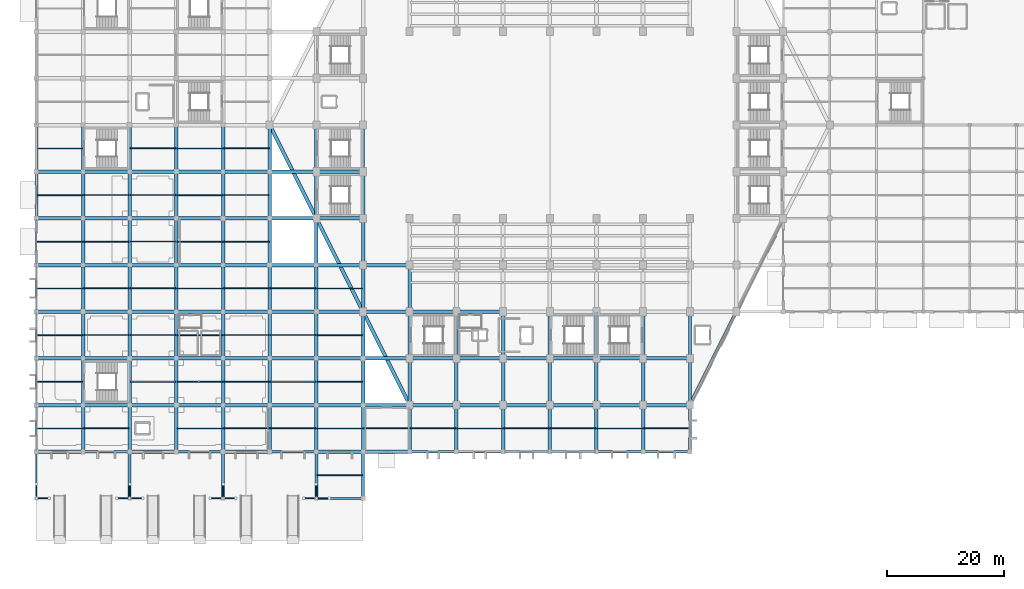
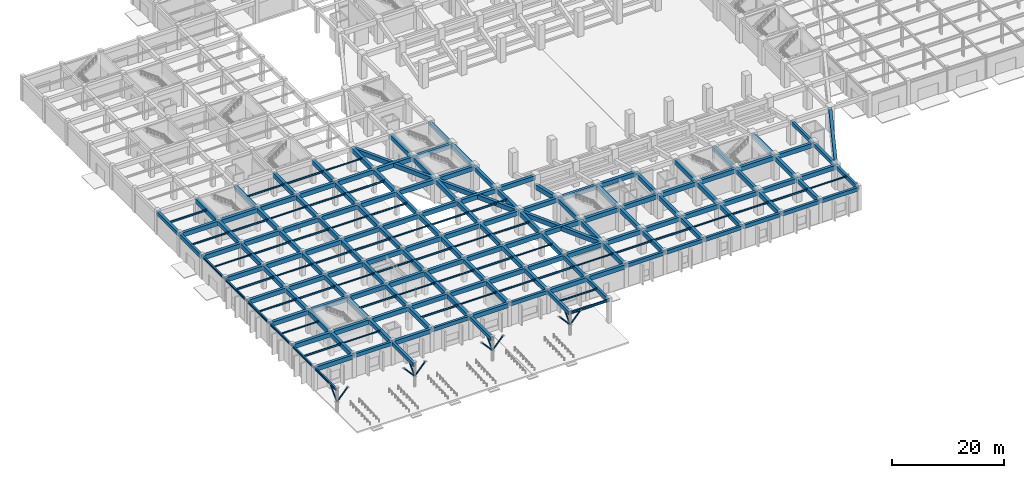
# One storey, part 11 of 39: 210 beams, 11 members.
"""IFC4 building model written with IfcOpenShell, lengths in metres."""

from ifc_helpers import new_model, si_unit, direction, frame, origin, origin_2d, place, context, subcontext, project, spatial, rectangle, hollow_circle, i_section, extrude, material, material_profile, profile_set, type_object, element, save


model = new_model("IFC4")

# Units and contexts
model_context = context("Model", 3, precision=1e-05, world=origin(), true_north=direction((0.0, 1.0)))
body_context = subcontext(model_context, "Body", "Model", "MODEL_VIEW")
ifc_project = project(units=[si_unit("LENGTHUNIT", "METRE"), si_unit("AREAUNIT", "SQUARE_METRE"), si_unit("VOLUMEUNIT", "CUBIC_METRE"), si_unit("PLANEANGLEUNIT", "RADIAN"), si_unit("MASSUNIT", "GRAM", prefix="KILO")], contexts=[model_context])

# Site, building, storey
site_placement = place(None, origin())
site = spatial("IfcSite", under=ifc_project, at=site_placement, CompositionType="ELEMENT")
building_placement = place(site_placement, origin())
building = spatial("IfcBuilding", under=site, at=building_placement, Name="Tazarka Park Arena", CompositionType="ELEMENT")
storey_placement = place(building_placement, origin())
storey = spatial("IfcBuildingStorey", under=building, at=storey_placement, Name="L00", CompositionType="ELEMENT", Elevation=0.0)

# Beams
ifc_material_1 = material(Name="Concrete C40/50", Category="concrete")
ifc_material_profile_1 = material_profile(ifc_material_1, rectangle(XDim=0.60009765625, YDim=0.949951171875, at=origin_2d()), Name="Concrete C40/50")
ifc_profile_set_1 = profile_set([ifc_material_profile_1], Name="Concrete C40/50")
beam_type_1 = type_object("IfcBeamType", Name="BM-B-03", PredefinedType="BEAM", material=ifc_profile_set_1)
for number, where, z_axis, x_axis, name in (
    (1, (0.1201171875, 8.0, 4.544921875), (1.0, 0.0, 0.0), (0.0, 1.0, 0.0), "GXM-L00-00-01"),
    (2, (0.1201171875, 16.0, 4.544921875), (1.0, 0.0, 0.0), (0.0, 1.0, 0.0), "GXM-L00-00-02"),
    (3, (0.1201171875, 24.0, 4.544921875), (1.0, 0.0, 0.0), (0.0, 1.0, 0.0), "GXM-L00-00-03"),
    (4, (0.1201171875, 32.0, 4.544921875), (1.0, 0.0, 0.0), (0.0, 1.0, 0.0), "GXM-L00-00-04"),
    (5, (0.1201171875, 40.0, 4.544921875), (1.0, 0.0, 0.0), (0.0, 1.0, 0.0), "GXM-L00-00-05"),
    (6, (0.1201171875, 48.0, 4.544921875), (1.0, 0.0, 0.0), (0.0, 1.0, 0.0), "GXM-L00-00-06"),
    (7, (0.1201171875, 56.0, 4.544921875), (1.0, 0.0, 0.0), (0.0, 1.0, 0.0), "GXM-L00-00-07"),
    (8, (8.0, 8.1201171875, 4.544921875), (0.0, 1.0, 0.0), (-1.0, 0.0, 0.0), "GYM-L00-01-01"),
    (9, (8.1201171875, 16.0, 4.544921875), (1.0, 0.0, 0.0), (0.0, 1.0, 0.0), "GXM-L00-01-02"),
    (10, (8.0, 16.1201171875, 4.544921875), (0.0, 1.0, 0.0), (-1.0, 0.0, 0.0), "GYM-L00-01-02"),
    (11, (8.1201171875, 24.0, 4.544921875), (1.0, 0.0, 0.0), (0.0, 1.0, 0.0), "GXM-L00-01-03"),
    (12, (8.0, 24.1201171875, 4.544921875), (0.0, 1.0, 0.0), (-1.0, 0.0, 0.0), "GYM-L00-01-03"),
    (13, (8.1201171875, 32.0, 4.544921875), (1.0, 0.0, 0.0), (0.0, 1.0, 0.0), "GXM-L00-01-04"),
    (14, (8.0, 32.1201171875, 4.544921875), (0.0, 1.0, 0.0), (-1.0, 0.0, 0.0), "GYM-L00-01-04"),
    (15, (8.1201171875, 40.0, 4.544921875), (1.0, 0.0, 0.0), (0.0, 1.0, 0.0), "GXM-L00-01-05"),
    (16, (8.0, 40.1201171875, 4.544921875), (0.0, 1.0, 0.0), (-1.0, 0.0, 0.0), "GYM-L00-01-05"),
    (17, (8.1201171875, 48.0, 4.544921875), (1.0, 0.0, 0.0), (0.0, 1.0, 0.0), "GXM-L00-01-06"),
    (18, (8.0, 48.1201171875, 4.544921875), (0.0, 1.0, 0.0), (-1.0, 0.0, 0.0), "GYM-L00-01-06"),
    (19, (8.1201171875, 56.0, 4.544921875), (1.0, 0.0, 0.0), (0.0, 1.0, 0.0), "GXM-L00-01-07"),
    (20, (8.0, 56.1201171875, 4.544921875), (0.0, 1.0, 0.0), (-1.0, 0.0, 0.0), "GYM-L00-01-07"),
    (21, (16.1201171875, 8.0, 4.544921875), (1.0, 0.0, 0.0), (0.0, 1.0, 0.0), "GXM-L00-02-01"),
    (22, (16.0, 8.1201171875, 4.544921875), (0.0, 1.0, 0.0), (-1.0, 0.0, 0.0), "GYM-L00-02-01"),
    (23, (16.1201171875, 16.0, 4.544921875), (1.0, 0.0, 0.0), (0.0, 1.0, 0.0), "GXM-L00-02-02"),
    (24, (16.0, 16.1201171875, 4.544921875), (0.0, 1.0, 0.0), (-1.0, 0.0, 0.0), "GYM-L00-02-02"),
    (25, (16.1201171875, 24.0, 4.544921875), (1.0, 0.0, 0.0), (0.0, 1.0, 0.0), "GXM-L00-02-03"),
    (26, (16.0, 24.1201171875, 4.544921875), (0.0, 1.0, 0.0), (-1.0, 0.0, 0.0), "GYM-L00-02-03"),
    (27, (16.1201171875, 32.0, 4.544921875), (1.0, 0.0, 0.0), (0.0, 1.0, 0.0), "GXM-L00-02-04"),
    (28, (16.0, 32.1201171875, 4.544921875), (0.0, 1.0, 0.0), (-1.0, 0.0, 0.0), "GYM-L00-02-04"),
    (29, (16.1201171875, 40.0, 4.544921875), (1.0, 0.0, 0.0), (0.0, 1.0, 0.0), "GXM-L00-02-05"),
    (30, (16.0, 40.1201171875, 4.544921875), (0.0, 1.0, 0.0), (-1.0, 0.0, 0.0), "GYM-L00-02-05"),
    (31, (16.1201171875, 48.0, 4.544921875), (1.0, 0.0, 0.0), (0.0, 1.0, 0.0), "GXM-L00-02-06"),
    (32, (16.0, 48.1201171875, 4.544921875), (0.0, 1.0, 0.0), (-1.0, 0.0, 0.0), "GYM-L00-02-06"),
    (33, (16.1201171875, 56.0, 4.544921875), (1.0, 0.0, 0.0), (0.0, 1.0, 0.0), "GXM-L00-02-07"),
    (34, (16.0, 56.1201171875, 4.544921875), (0.0, 1.0, 0.0), (-1.0, 0.0, 0.0), "GYM-L00-02-07"),
    (35, (24.0, 8.1201171875, 4.544921875), (0.0, 1.0, 0.0), (-1.0, 0.0, 0.0), "GYM-L00-03-01"),
    (36, (24.1201171875, 16.0, 4.544921875), (1.0, 0.0, 0.0), (0.0, 1.0, 0.0), "GXM-L00-03-02"),
    (37, (24.0, 16.1201171875, 4.544921875), (0.0, 1.0, 0.0), (-1.0, 0.0, 0.0), "GYM-L00-03-02"),
    (38, (24.1201171875, 24.0, 4.544921875), (1.0, 0.0, 0.0), (0.0, 1.0, 0.0), "GXM-L00-03-03"),
    (39, (24.0, 24.1201171875, 4.544921875), (0.0, 1.0, 0.0), (-1.0, 0.0, 0.0), "GYM-L00-03-03"),
    (40, (24.1201171875, 32.0, 4.544921875), (1.0, 0.0, 0.0), (0.0, 1.0, 0.0), "GXM-L00-03-04"),
    (41, (24.0, 32.1201171875, 4.544921875), (0.0, 1.0, 0.0), (-1.0, 0.0, 0.0), "GYM-L00-03-04"),
    (42, (24.1201171875, 40.0, 4.544921875), (1.0, 0.0, 0.0), (0.0, 1.0, 0.0), "GXM-L00-03-05"),
    (43, (24.0, 40.1201171875, 4.544921875), (0.0, 1.0, 0.0), (-1.0, 0.0, 0.0), "GYM-L00-03-05"),
    (44, (24.1201171875, 48.0, 4.544921875), (1.0, 0.0, 0.0), (0.0, 1.0, 0.0), "GXM-L00-03-06"),
    (45, (24.0, 48.1201171875, 4.544921875), (0.0, 1.0, 0.0), (-1.0, 0.0, 0.0), "GYM-L00-03-06"),
    (46, (24.1201171875, 56.0, 4.544921875), (1.0, 0.0, 0.0), (0.0, 1.0, 0.0), "GXM-L00-03-07"),
    (47, (24.0, 56.1201171875, 4.544921875), (0.0, 1.0, 0.0), (-1.0, 0.0, 0.0), "GYM-L00-03-07"),
    (48, (32.1201171875, 8.0, 4.544921875), (1.0, 0.0, 0.0), (0.0, 1.0, 0.0), "GXM-L00-04-01"),
    (49, (32.0, 8.1201171875, 4.544921875), (0.0, 1.0, 0.0), (-1.0, 0.0, 0.0), "GYM-L00-04-01"),
    (50, (32.1201171875, 16.0, 4.544921875), (1.0, 0.0, 0.0), (0.0, 1.0, 0.0), "GXM-L00-04-02"),
    (51, (32.0, 16.1201171875, 4.544921875), (0.0, 1.0, 0.0), (-1.0, 0.0, 0.0), "GYM-L00-04-02"),
    (52, (32.1201171875, 24.0, 4.544921875), (1.0, 0.0, 0.0), (0.0, 1.0, 0.0), "GXM-L00-04-03"),
    (53, (32.0, 24.1201171875, 4.544921875), (0.0, 1.0, 0.0), (-1.0, 0.0, 0.0), "GYM-L00-04-03"),
    (54, (32.1201171875, 32.0, 4.544921875), (1.0, 0.0, 0.0), (0.0, 1.0, 0.0), "GXM-L00-04-04"),
    (55, (32.0, 32.1201171875, 4.544921875), (0.0, 1.0, 0.0), (-1.0, 0.0, 0.0), "GYM-L00-04-04"),
    (56, (32.1201171875, 40.0, 4.544921875), (1.0, 0.0, 0.0), (0.0, 1.0, 0.0), "GXM-L00-04-05"),
    (57, (32.0, 40.1201171875, 4.544921875), (0.0, 1.0, 0.0), (-1.0, 0.0, 0.0), "GYM-L00-04-05"),
    (58, (32.1201171875, 48.0, 4.544921875), (1.0, 0.0, 0.0), (0.0, 1.0, 0.0), "GXM-L00-04-06"),
    (59, (32.0, 48.1201171875, 4.544921875), (0.0, 1.0, 0.0), (-1.0, 0.0, 0.0), "GYM-L00-04-06"),
    (60, (32.1201171875, 56.0, 4.544921875), (1.0, 0.0, 0.0), (0.0, 1.0, 0.0), "GXM-L00-04-07"),
    (61, (32.0, 56.1201171875, 4.544921875), (0.0, 1.0, 0.0), (-1.0, 0.0, 0.0), "GYM-L00-04-07"),
    (62, (40.0, 8.1201171875, 4.544921875), (0.0, 1.0, 0.0), (-1.0, 0.0, 0.0), "GYM-L00-05-01"),
    (63, (40.1201171875, 16.0, 4.544921875), (1.0, 0.0, 0.0), (0.0, 1.0, 0.0), "GXM-L00-05-02"),
    (64, (40.0, 16.1201171875, 4.544921875), (0.0, 1.0, 0.0), (-1.0, 0.0, 0.0), "GYM-L00-05-02"),
    (65, (40.1201171875, 24.0, 4.544921875), (1.0, 0.0, 0.0), (0.0, 1.0, 0.0), "GXM-L00-05-03"),
    (66, (40.0, 24.1201171875, 4.544921875), (0.0, 1.0, 0.0), (-1.0, 0.0, 0.0), "GYM-L00-05-03"),
    (67, (40.1201171875, 32.0, 4.544921875), (1.0, 0.0, 0.0), (0.0, 1.0, 0.0), "GXM-L00-05-04"),
    (68, (40.0, 32.1201171875, 4.544921875), (0.0, 1.0, 0.0), (-1.0, 0.0, 0.0), "GYM-L00-05-04"),
    (69, (40.1201171875, 40.0, 4.544921875), (1.0, 0.0, 0.0), (0.0, 1.0, 0.0), "GXM-L00-05-05"),
    (70, (40.0, 40.1201171875, 4.544921875), (0.0, 1.0, 0.0), (-1.0, 0.0, 0.0), "GYM-L00-05-05"),
    (71, (40.1201171875, 48.0, 4.544921875), (1.0, 0.0, 0.0), (0.0, 1.0, 0.0), "GXM-L00-05-06"),
    (72, (40.0, 48.1201171875, 4.544921875), (0.0, 1.0, 0.0), (-1.0, 0.0, 0.0), "GYM-L00-05-06"),
    (73, (40.1201171875, 56.0, 4.544921875), (1.0, 0.0, 0.0), (0.0, 1.0, 0.0), "GXM-L00-05-07"),
    (74, (40.0, 56.1201171875, 4.544921875), (0.0, 1.0, 0.0), (-1.0, 0.0, 0.0), "GYM-L00-05-07"),
    (75, (48.1201171875, 8.0, 4.544921875), (1.0, 0.0, 0.0), (0.0, 1.0, 0.0), "GXM-L00-06-01"),
    (76, (48.0, 8.1201171875, 4.544921875), (0.0, 1.0, 0.0), (-1.0, 0.0, 0.0), "GYM-L00-06-01"),
    (77, (48.1201171875, 16.0, 4.544921875), (1.0, 0.0, 0.0), (0.0, 1.0, 0.0), "GXM-L00-06-02"),
    (78, (48.0, 16.1201171875, 4.544921875), (0.0, 1.0, 0.0), (-1.0, 0.0, 0.0), "GYM-L00-06-02"),
    (79, (48.1201171875, 24.0, 4.544921875), (1.0, 0.0, 0.0), (0.0, 1.0, 0.0), "GXM-L00-06-03"),
    (80, (48.0, 24.1201171875, 4.544921875), (0.0, 1.0, 0.0), (-1.0, 0.0, 0.0), "GYM-L00-06-03"),
    (81, (48.1201171875, 32.0, 4.544921875), (1.0, 0.0, 0.0), (0.0, 1.0, 0.0), "GXM-L00-06-04"),
    (82, (48.0, 32.1201171875, 4.544921875), (0.0, 1.0, 0.0), (-1.0, 0.0, 0.0), "GYM-L00-06-04"),
    (83, (48.1201171875, 40.0, 4.544921875), (1.0, 0.0, 0.0), (0.0, 1.0, 0.0), "GXM-L00-06-05"),
    (84, (48.0, 40.1201171875, 4.544921875), (0.0, 1.0, 0.0), (-1.0, 0.0, 0.0), "GYM-L00-06-05"),
    (85, (48.1201171875, 48.0, 4.544921875), (1.0, 0.0, 0.0), (0.0, 1.0, 0.0), "GXM-L00-06-06"),
    (86, (48.0, 48.1201171875, 4.544921875), (0.0, 1.0, 0.0), (-1.0, 0.0, 0.0), "GYM-L00-06-06"),
    (87, (48.1201171875, 56.0, 4.544921875), (1.0, 0.0, 0.0), (0.0, 1.0, 0.0), "GXM-L00-06-07"),
    (88, (48.0, 56.1201171875, 4.544921875), (0.0, 1.0, 0.0), (-1.0, 0.0, 0.0), "GYM-L00-06-07"),
    (89, (56.1201171875, 8.0, 4.544921875), (1.0, 0.0, 0.0), (0.0, 1.0, 0.0), "GXM-L00-07-01"),
    (90, (56.0, 8.1201171875, 4.544921875), (0.0, 1.0, 0.0), (-1.0, 0.0, 0.0), "GYM-L00-07-01"),
    (91, (56.1201171875, 16.0, 4.544921875), (1.0, 0.0, 0.0), (0.0, 1.0, 0.0), "GXM-L00-07-02"),
    (92, (56.0, 16.1201171875, 4.544921875), (0.0, 1.0, 0.0), (-1.0, 0.0, 0.0), "GYM-L00-07-02"),
    (93, (56.1201171875, 24.0, 4.544921875), (1.0, 0.0, 0.0), (0.0, 1.0, 0.0), "GXM-L00-07-03"),
    (94, (56.0, 24.1201171875, 4.544921875), (0.0, 1.0, 0.0), (-1.0, 0.0, 0.0), "GYM-L00-07-03"),
    (95, (56.1201171875, 32.0, 4.544921875), (1.0, 0.0, 0.0), (0.0, 1.0, 0.0), "GXM-L00-07-04"),
    (96, (56.0, 32.1201171875, 4.544921875), (0.0, 1.0, 0.0), (-1.0, 0.0, 0.0), "GYM-L00-07-04"),
    (97, (56.1201171875, 40.0, 4.544921875), (1.0, 0.0, 0.0), (0.0, 1.0, 0.0), "GXM-L00-07-05"),
    (98, (56.0, 40.1201171875, 4.544921875), (0.0, 1.0, 0.0), (-1.0, 0.0, 0.0), "GYM-L00-07-05"),
    (99, (56.0, 48.1201171875, 4.544921875), (0.0, 1.0, 0.0), (-1.0, 0.0, 0.0), "GYM-L00-07-06"),
    (100, (64.0, 8.1201171875, 4.544921875), (0.0, 1.0, 0.0), (-1.0, 0.0, 0.0), "GYM-L00-08-01"),
    (101, (64.1201171875, 16.0, 4.544921875), (1.0, 0.0, 0.0), (0.0, 1.0, 0.0), "GXM-L00-08-02"),
    (102, (64.0, 16.1201171875, 4.544921875), (0.0, 1.0, 0.0), (-1.0, 0.0, 0.0), "GYM-L00-08-02"),
    (103, (64.1201171875, 24.0, 4.544921875), (1.0, 0.0, 0.0), (0.0, 1.0, 0.0), "GXM-L00-08-03"),
    (104, (64.0, 24.1201171875, 4.544921875), (0.0, 1.0, 0.0), (-1.0, 0.0, 0.0), "GYM-L00-08-03"),
    (105, (64.1201171875, 32.0, 4.544921875), (1.0, 0.0, 0.0), (0.0, 1.0, 0.0), "GXM-L00-08-04"),
    (106, (72.0, 8.1201171875, 4.544921875), (0.0, 1.0, 0.0), (-1.0, 0.0, 0.0), "GYM-L00-09-01"),
    (107, (72.1201171875, 16.0, 4.544921875), (1.0, 0.0, 0.0), (0.0, 1.0, 0.0), "GXM-L00-09-02"),
    (108, (72.0, 16.1201171875, 4.544921875), (0.0, 1.0, 0.0), (-1.0, 0.0, 0.0), "GYM-L00-09-02"),
    (109, (72.1201171875, 24.0, 4.544921875), (1.0, 0.0, 0.0), (0.0, 1.0, 0.0), "GXM-L00-09-03"),
    (110, (72.0, 24.1201171875, 4.544921875), (0.0, 1.0, 0.0), (-1.0, 0.0, 0.0), "GYM-L00-09-03"),
    (111, (72.1201171875, 32.0, 4.544921875), (1.0, 0.0, 0.0), (0.0, 1.0, 0.0), "GXM-L00-09-04"),
    (112, (80.0, 8.1201171875, 4.544921875), (0.0, 1.0, 0.0), (-1.0, 0.0, 0.0), "GYM-L00-10-01"),
    (113, (80.1201171875, 16.0, 4.544921875), (1.0, 0.0, 0.0), (0.0, 1.0, 0.0), "GXM-L00-10-02"),
    (114, (80.0, 16.1201171875, 4.544921875), (0.0, 1.0, 0.0), (-1.0, 0.0, 0.0), "GYM-L00-10-02"),
    (115, (80.1201171875, 24.0, 4.544921875), (1.0, 0.0, 0.0), (0.0, 1.0, 0.0), "GXM-L00-10-03"),
    (116, (80.0, 24.1201171875, 4.544921875), (0.0, 1.0, 0.0), (-1.0, 0.0, 0.0), "GYM-L00-10-03"),
    (117, (88.0, 8.1201171875, 4.544921875), (0.0, 1.0, 0.0), (-1.0, 0.0, 0.0), "GYM-L00-11-01"),
    (118, (88.1201171875, 16.0, 4.544921875), (1.0, 0.0, 0.0), (0.0, 1.0, 0.0), "GXM-L00-11-02"),
    (119, (88.0, 16.1201171875, 4.544921875), (0.0, 1.0, 0.0), (-1.0, 0.0, 0.0), "GYM-L00-11-02"),
    (120, (88.1201171875, 24.0, 4.544921875), (1.0, 0.0, 0.0), (0.0, 1.0, 0.0), "GXM-L00-11-03"),
    (121, (88.0, 24.1201171875, 4.544921875), (0.0, 1.0, 0.0), (-1.0, 0.0, 0.0), "GYM-L00-11-03"),
    (122, (96.0, 8.1201171875, 4.544921875), (0.0, 1.0, 0.0), (-1.0, 0.0, 0.0), "GYM-L00-12-01"),
    (123, (96.1201171875, 16.0, 4.544921875), (1.0, 0.0, 0.0), (0.0, 1.0, 0.0), "GXM-L00-12-02"),
    (124, (96.0, 16.1201171875, 4.544921875), (0.0, 1.0, 0.0), (-1.0, 0.0, 0.0), "GYM-L00-12-02"),
    (125, (96.1201171875, 24.0, 4.544921875), (1.0, 0.0, 0.0), (0.0, 1.0, 0.0), "GXM-L00-12-03"),
    (126, (96.0, 24.1201171875, 4.544921875), (0.0, 1.0, 0.0), (-1.0, 0.0, 0.0), "GYM-L00-12-03"),
    (127, (104.0, 8.1201171875, 4.544921875), (0.0, 1.0, 0.0), (-1.0, 0.0, 0.0), "GYM-L00-13-01"),
    (128, (104.1201171875, 16.0, 4.544921875), (1.0, 0.0, 0.0), (0.0, 1.0, 0.0), "GXM-L00-13-02"),
    (129, (104.0, 16.1201171875, 4.544921875), (0.0, 1.0, 0.0), (-1.0, 0.0, 0.0), "GYM-L00-13-02"),
    (130, (104.1201171875, 24.0, 4.544921875), (1.0, 0.0, 0.0), (0.0, 1.0, 0.0), "GXM-L00-13-03"),
    (131, (104.0, 24.1201171875, 4.544921875), (0.0, 1.0, 0.0), (-1.0, 0.0, 0.0), "GYM-L00-13-03"),
):
    element("IfcBeam", number, at=place(storey_placement, frame(where, z_axis=z_axis, x_axis=x_axis)), inside=storey, type_object=beam_type_1, Name=name, PredefinedType="BEAM", context=body_context, shape_type="SweptSolid", body=[
        extrude(rectangle(XDim=0.60009765625, YDim=0.949951171875, at=origin_2d()), origin(), (0.0, 0.0, 1.0), 7.759765625),
    ])
ifc_material_2 = material(Name="Steel S355", Category="steel")
ifc_material_profile_2 = material_profile(ifc_material_2, i_section(OverallWidth=0.14990234375, OverallDepth=0.300048828125, WebThickness=0.007080078125, FlangeThickness=0.0107421875, FilletRadius=0.014892578125, at=origin_2d()), Name="Steel S355")
ifc_profile_set_2 = profile_set([ifc_material_profile_2], Name="Steel S355")
beam_type_2 = type_object("IfcBeamType", Name="BM-J-01", PredefinedType="JOIST", material=ifc_profile_set_2)
for number, where, z_axis, x_axis, name in (
    (132, (0.1201171875, 20.0, 4.8701171875), (1.0, 0.0, 0.0), (0.0, 1.0, 0.0), "JST-L00-00-02"),
    (133, (0.1201171875, 44.0, 4.8701171875), (1.0, 0.0, 0.0), (0.0, 1.0, 0.0), "JST-L00-00-05"),
    (134, (8.1201171875, 12.0, 4.8701171875), (1.0, 0.0, 0.0), (0.0, 1.0, 0.0), "JST-L00-01-01"),
    (135, (8.1201171875, 36.0, 4.8701171875), (1.0, 0.0, 0.0), (0.0, 1.0, 0.0), "JST-L00-01-04"),
    (136, (16.1201171875, 28.0, 4.8701171875), (1.0, 0.0, 0.0), (0.0, 1.0, 0.0), "JST-L00-02-03"),
    (137, (16.1201171875, 52.0, 4.8701171875), (1.0, 0.0, 0.0), (0.0, 1.0, 0.0), "JST-L00-02-06"),
    (138, (24.1201171875, 20.0, 4.8701171875), (1.0, 0.0, 0.0), (0.0, 1.0, 0.0), "JST-L00-03-02"),
    (139, (24.1201171875, 44.0, 4.8701171875), (1.0, 0.0, 0.0), (0.0, 1.0, 0.0), "JST-L00-03-05"),
    (140, (32.1201171875, 12.0, 4.8701171875), (1.0, 0.0, 0.0), (0.0, 1.0, 0.0), "JST-L00-04-01"),
    (141, (32.1201171875, 36.0, 4.8701171875), (1.0, 0.0, 0.0), (0.0, 1.0, 0.0), "JST-L00-04-04"),
    (142, (32.1201171875, 60.0, 4.8701171875), (1.0, 0.0, 0.0), (0.0, 1.0, 0.0), "JST-L00-04-07"),
    (143, (40.1201171875, 28.0, 4.8701171875), (1.0, 0.0, 0.0), (0.0, 1.0, 0.0), "JST-L00-05-03"),
    (144, (48.1201171875, 20.0, 4.8701171875), (1.0, 0.0, 0.0), (0.0, 1.0, 0.0), "JST-L00-06-02"),
    (145, (56.1201171875, 12.0, 4.8701171875), (1.0, 0.0, 0.0), (0.0, 1.0, 0.0), "JST-L00-07-01"),
    (146, (80.1201171875, 12.0, 4.8701171875), (1.0, 0.0, 0.0), (0.0, 1.0, 0.0), "JST-L00-10-01"),
    (147, (104.1201171875, 12.0, 4.8701171875), (1.0, 0.0, 0.0), (0.0, 1.0, 0.0), "JST-L00-13-01"),
):
    element("IfcBeam", number, at=place(storey_placement, frame(where, z_axis=z_axis, x_axis=x_axis)), inside=storey, type_object=beam_type_2, Name=name, PredefinedType="JOIST", context=body_context, shape_type="SweptSolid", body=[
        extrude(i_section(OverallWidth=0.14990234375, OverallDepth=0.300048828125, WebThickness=0.007080078125, FlangeThickness=0.0107421875, FilletRadius=0.014892578125, at=origin_2d()), origin(), (0.0, 0.0, 1.0), 7.759765625),
    ])
ifc_material_3 = material(Name="Steel S355", Category="steel")
ifc_material_profile_3 = material_profile(ifc_material_3, i_section(OverallWidth=0.169921875, OverallDepth=0.360107421875, WebThickness=0.008056640625, FlangeThickness=0.0126953125, FilletRadius=0.01806640625, at=origin_2d()), Name="Steel S355")
ifc_profile_set_3 = profile_set([ifc_material_profile_3], Name="Steel S355")
beam_type_3 = type_object("IfcBeamType", Name="BM-J-02", PredefinedType="JOIST", material=ifc_profile_set_3)
for number, where, z_axis, x_axis, name in (
    (148, (0.1201171875, 28.0, 4.840087890625), (1.0, 0.0, 0.0), (0.0, 1.0, 0.0), "JST-L00-00-03"),
    (149, (0.1201171875, 52.0, 4.840087890625), (1.0, 0.0, 0.0), (0.0, 1.0, 0.0), "JST-L00-00-06"),
    (150, (8.1201171875, 44.0, 4.840087890625), (1.0, 0.0, 0.0), (0.0, 1.0, 0.0), "JST-L00-01-05"),
    (151, (16.1201171875, 36.0, 4.840087890625), (1.0, 0.0, 0.0), (0.0, 1.0, 0.0), "JST-L00-02-04"),
    (152, (16.1201171875, 60.0, 4.840087890625), (1.0, 0.0, 0.0), (0.0, 1.0, 0.0), "JST-L00-02-07"),
    (153, (24.1201171875, 28.0, 4.840087890625), (1.0, 0.0, 0.0), (0.0, 1.0, 0.0), "JST-L00-03-03"),
    (154, (24.1201171875, 52.0, 4.840087890625), (1.0, 0.0, 0.0), (0.0, 1.0, 0.0), "JST-L00-03-06"),
    (155, (32.1201171875, 20.0, 4.840087890625), (1.0, 0.0, 0.0), (0.0, 1.0, 0.0), "JST-L00-04-02"),
    (156, (32.1201171875, 44.0, 4.840087890625), (1.0, 0.0, 0.0), (0.0, 1.0, 0.0), "JST-L00-04-05"),
    (157, (40.1201171875, 12.0, 4.840087890625), (1.0, 0.0, 0.0), (0.0, 1.0, 0.0), "JST-L00-05-01"),
    (158, (40.1201171875, 36.0, 4.840087890625), (1.0, 0.0, 0.0), (0.0, 1.0, 0.0), "JST-L00-05-04"),
    (159, (48.1201171875, 4.0, 4.840087890625), (1.0, 0.0, 0.0), (0.0, 1.0, 0.0), "JST-L00-06-00"),
    (160, (48.1201171875, 28.0, 4.840087890625), (1.0, 0.0, 0.0), (0.0, 1.0, 0.0), "JST-L00-06-03"),
    (161, (64.1201171875, 12.0, 4.840087890625), (1.0, 0.0, 0.0), (0.0, 1.0, 0.0), "JST-L00-08-01"),
    (162, (88.1201171875, 12.0, 4.840087890625), (1.0, 0.0, 0.0), (0.0, 1.0, 0.0), "JST-L00-11-01"),
):
    element("IfcBeam", number, at=place(storey_placement, frame(where, z_axis=z_axis, x_axis=x_axis)), inside=storey, type_object=beam_type_3, Name=name, PredefinedType="JOIST", context=body_context, shape_type="SweptSolid", body=[
        extrude(i_section(OverallWidth=0.169921875, OverallDepth=0.360107421875, WebThickness=0.008056640625, FlangeThickness=0.0126953125, FilletRadius=0.01806640625, at=origin_2d()), origin(), (0.0, 0.0, 1.0), 7.759765625),
    ])
ifc_material_4 = material(Name="Steel S355", Category="steel")
ifc_material_profile_4 = material_profile(ifc_material_4, i_section(OverallWidth=0.179931640625, OverallDepth=0.39990234375, WebThickness=0.008544921875, FlangeThickness=0.013427734375, FilletRadius=0.02099609375, at=origin_2d()), Name="Steel S355")
ifc_profile_set_4 = profile_set([ifc_material_profile_4], Name="Steel S355")
beam_type_4 = type_object("IfcBeamType", Name="BM-J-03", PredefinedType="JOIST", material=ifc_profile_set_4)
for number, where, z_axis, x_axis, name in (
    (163, (0.1201171875, 12.0, 4.820068359375), (1.0, 0.0, 0.0), (0.0, 1.0, 0.0), "JST-L00-00-01"),
    (164, (0.1201171875, 36.0, 4.820068359375), (1.0, 0.0, 0.0), (0.0, 1.0, 0.0), "JST-L00-00-04"),
    (165, (0.1201171875, 60.0, 4.820068359375), (1.0, 0.0, 0.0), (0.0, 1.0, 0.0), "JST-L00-00-07"),
    (166, (8.1201171875, 28.0, 4.820068359375), (1.0, 0.0, 0.0), (0.0, 1.0, 0.0), "JST-L00-01-03"),
    (167, (8.1201171875, 52.0, 4.820068359375), (1.0, 0.0, 0.0), (0.0, 1.0, 0.0), "JST-L00-01-06"),
    (168, (16.1201171875, 20.0, 4.820068359375), (1.0, 0.0, 0.0), (0.0, 1.0, 0.0), "JST-L00-02-02"),
    (169, (16.1201171875, 44.0, 4.820068359375), (1.0, 0.0, 0.0), (0.0, 1.0, 0.0), "JST-L00-02-05"),
    (170, (24.1201171875, 12.0, 4.820068359375), (1.0, 0.0, 0.0), (0.0, 1.0, 0.0), "JST-L00-03-01"),
    (171, (24.1201171875, 36.0, 4.820068359375), (1.0, 0.0, 0.0), (0.0, 1.0, 0.0), "JST-L00-03-04"),
    (172, (24.1201171875, 60.0, 4.820068359375), (1.0, 0.0, 0.0), (0.0, 1.0, 0.0), "JST-L00-03-07"),
    (173, (32.1201171875, 28.0, 4.820068359375), (1.0, 0.0, 0.0), (0.0, 1.0, 0.0), "JST-L00-04-03"),
    (174, (32.1201171875, 52.0, 4.820068359375), (1.0, 0.0, 0.0), (0.0, 1.0, 0.0), "JST-L00-04-06"),
    (175, (40.1201171875, 20.0, 4.820068359375), (1.0, 0.0, 0.0), (0.0, 1.0, 0.0), "JST-L00-05-02"),
    (176, (48.1201171875, 12.0, 4.820068359375), (1.0, 0.0, 0.0), (0.0, 1.0, 0.0), "JST-L00-06-01"),
    (177, (48.1201171875, 36.0, 4.820068359375), (1.0, 0.0, 0.0), (0.0, 1.0, 0.0), "JST-L00-06-04"),
    (178, (72.1201171875, 12.0, 4.820068359375), (1.0, 0.0, 0.0), (0.0, 1.0, 0.0), "JST-L00-09-01"),
    (179, (96.1201171875, 12.0, 4.820068359375), (1.0, 0.0, 0.0), (0.0, 1.0, 0.0), "JST-L00-12-01"),
):
    element("IfcBeam", number, at=place(storey_placement, frame(where, z_axis=z_axis, x_axis=x_axis)), inside=storey, type_object=beam_type_4, Name=name, PredefinedType="JOIST", context=body_context, shape_type="SweptSolid", body=[
        extrude(i_section(OverallWidth=0.179931640625, OverallDepth=0.39990234375, WebThickness=0.008544921875, FlangeThickness=0.013427734375, FilletRadius=0.02099609375, at=origin_2d()), origin(), (0.0, 0.0, 1.0), 7.759765625),
    ])
ifc_material_5 = material(Name="Precast concrete C40/50", Category="concrete")
ifc_material_profile_5 = material_profile(ifc_material_5, rectangle(XDim=0.64990234375, YDim=1.0, at=origin_2d()), Name="Precast concrete C40/50")
ifc_profile_set_5 = profile_set([ifc_material_profile_5], Name="Precast concrete C40/50")
beam_type_5 = type_object("IfcBeamType", Name="BM-RK-01", PredefinedType="BEAM", material=ifc_profile_set_5)
beam_placement = place(storey_placement, frame((64.0, 40.0, 2.550048828125), z_axis=(0.0, -0.97293922076, 0.231061188231), x_axis=(1.0, 0.0, 0.0)))
element("IfcBeam", 180, at=beam_placement, inside=storey, type_object=beam_type_5, Name="RAKER RK-01-01U", PredefinedType="BEAM", context=body_context, shape_type="SweptSolid", body=[
    extrude(rectangle(XDim=0.64990234375, YDim=1.0, at=origin_2d()), origin(), (0.0, 0.0, 1.0), 8.222412109375),
])
ifc_material_6 = material(Name="Concrete C40/50", Category="concrete")
ifc_material_profile_6 = material_profile(ifc_material_6, rectangle(XDim=0.5, YDim=0.800048828125, at=origin_2d()), Name="Concrete C40/50")
ifc_profile_set_6 = profile_set([ifc_material_profile_6], Name="Concrete C40/50")
beam_type_6 = type_object("IfcBeamType", Name="BM-SP-01", PredefinedType="SPANDREL", material=ifc_profile_set_6)
for number, where, z_axis, x_axis, name in (
    (181, (0.0, 48.1201171875, 4.6201171875), (0.0, 1.0, 0.0), (-1.0, 0.0, 0.0), "GYM-L00-00-06"),
    (182, (0.0, 56.1201171875, 4.6201171875), (0.0, 1.0, 0.0), (-1.0, 0.0, 0.0), "GYM-L00-00-07"),
    (183, (8.1201171875, 8.0, 4.6201171875), (1.0, 0.0, 0.0), (0.0, 1.0, 0.0), "GXM-L00-01-01"),
    (184, (16.0, 0.1201171875, 4.6201171875), (0.0, 1.0, 0.0), (-1.0, 0.0, 0.0), "GYM-L00-02-00"),
    (185, (24.1201171875, 8.0, 4.6201171875), (1.0, 0.0, 0.0), (0.0, 1.0, 0.0), "GXM-L00-03-01"),
    (186, (32.0, 0.1201171875, 4.6201171875), (0.0, 1.0, 0.0), (-1.0, 0.0, 0.0), "GYM-L00-04-00"),
    (187, (40.1201171875, 8.0, 4.6201171875), (1.0, 0.0, 0.0), (0.0, 1.0, 0.0), "GXM-L00-05-01"),
    (188, (48.0, 0.1201171875, 4.6201171875), (0.0, 1.0, 0.0), (-1.0, 0.0, 0.0), "GYM-L00-06-00"),
    (189, (56.0, 0.1201171875, 4.6201171875), (0.0, 1.0, 0.0), (-1.0, 0.0, 0.0), "GYM-L00-07-00"),
    (190, (56.0, 56.1201171875, 4.6201171875), (0.0, 1.0, 0.0), (-1.0, 0.0, 0.0), "GYM-L00-07-07"),
    (191, (64.1201171875, 8.0, 4.6201171875), (1.0, 0.0, 0.0), (0.0, 1.0, 0.0), "GXM-L00-08-01"),
    (192, (72.1201171875, 8.0, 4.6201171875), (1.0, 0.0, 0.0), (0.0, 1.0, 0.0), "GXM-L00-09-01"),
    (193, (80.1201171875, 8.0, 4.6201171875), (1.0, 0.0, 0.0), (0.0, 1.0, 0.0), "GXM-L00-10-01"),
    (194, (88.1201171875, 8.0, 4.6201171875), (1.0, 0.0, 0.0), (0.0, 1.0, 0.0), "GXM-L00-11-01"),
    (195, (96.1201171875, 8.0, 4.6201171875), (1.0, 0.0, 0.0), (0.0, 1.0, 0.0), "GXM-L00-12-01"),
    (196, (104.1201171875, 8.0, 4.6201171875), (1.0, 0.0, 0.0), (0.0, 1.0, 0.0), "GXM-L00-13-01"),
    (197, (112.0, 8.1201171875, 4.6201171875), (0.0, 1.0, 0.0), (-1.0, 0.0, 0.0), "GYM-L00-14-01"),
    (198, (112.0, 16.1201171875, 4.6201171875), (0.0, 1.0, 0.0), (-1.0, 0.0, 0.0), "GYM-L00-14-02"),
    (199, (112.0, 24.1201171875, 4.6201171875), (0.0, 1.0, 0.0), (-1.0, 0.0, 0.0), "GYM-L00-14-03"),
):
    element("IfcBeam", number, at=place(storey_placement, frame(where, z_axis=z_axis, x_axis=x_axis)), inside=storey, type_object=beam_type_6, Name=name, PredefinedType="SPANDREL", context=body_context, shape_type="SweptSolid", body=[
        extrude(rectangle(XDim=0.5, YDim=0.800048828125, at=origin_2d()), origin(), (0.0, 0.0, 1.0), 7.759765625),
    ])
ifc_material_7 = material(Name="Steel S355", Category="steel")
ifc_material_profile_7 = material_profile(ifc_material_7, i_section(OverallWidth=0.300048828125, OverallDepth=0.489990234375, WebThickness=0.011962890625, FlangeThickness=0.02294921875, FilletRadius=0.027099609375, at=origin_2d()), Name="Steel S355")
ifc_profile_set_7 = profile_set([ifc_material_profile_7], Name="Steel S355")
beam_type_7 = type_object("IfcBeamType", Name="BM-SP-02", PredefinedType="SPANDREL", material=ifc_profile_set_7)
for number, where, z_axis, x_axis, name in (
    (200, (0.0, 0.1201171875, 4.77490234375), (0.0, 1.0, 0.0), (-1.0, 0.0, 0.0), "GYM-L00-00-00"),
    (201, (0.0, 8.1201171875, 4.77490234375), (0.0, 1.0, 0.0), (-1.0, 0.0, 0.0), "GYM-L00-00-01"),
    (202, (0.0, 16.1201171875, 4.77490234375), (0.0, 1.0, 0.0), (-1.0, 0.0, 0.0), "GYM-L00-00-02"),
    (203, (0.0, 24.1201171875, 4.77490234375), (0.0, 1.0, 0.0), (-1.0, 0.0, 0.0), "GYM-L00-00-03"),
    (204, (0.0, 32.1201171875, 4.77490234375), (0.0, 1.0, 0.0), (-1.0, 0.0, 0.0), "GYM-L00-00-04"),
    (205, (0.0, 40.1201171875, 4.77490234375), (0.0, 1.0, 0.0), (-1.0, 0.0, 0.0), "GYM-L00-00-05"),
    (206, (48.1201171875, 0.0, 4.77490234375), (1.0, 0.0, 0.0), (0.0, 1.0, 0.0), "GXM-L00-06-00"),
):
    element("IfcBeam", number, at=place(storey_placement, frame(where, z_axis=z_axis, x_axis=x_axis)), inside=storey, type_object=beam_type_7, Name=name, PredefinedType="SPANDREL", context=body_context, shape_type="SweptSolid", body=[
        extrude(i_section(OverallWidth=0.300048828125, OverallDepth=0.489990234375, WebThickness=0.011962890625, FlangeThickness=0.02294921875, FilletRadius=0.027099609375, at=origin_2d()), origin(), (0.0, 0.0, 1.0), 7.759765625),
    ])
ifc_material_8 = material(Name="Concrete C40/50", Category="concrete")
ifc_material_profile_8 = material_profile(ifc_material_8, rectangle(XDim=0.60009765625, YDim=0.949951171875, at=origin_2d()), Name="Concrete C40/50")
ifc_profile_set_8 = profile_set([ifc_material_profile_8], Name="Concrete C40/50")
beam_type_8 = type_object("IfcBeamType", Name="BM-SP-03", PredefinedType="SPANDREL", material=ifc_profile_set_8)
for number, where, z_axis, x_axis, name in (
    (207, (112.0537109375, 16.107421875, 4.544921875), (0.4472135955, 0.894427191, 0.0), (-0.894427191, 0.4472135955, 0.0), "RING BEAM SP-03-L00-07"),
    (208, (40.0537109375, 63.892578125, 4.544921875), (0.4472135955, -0.894427191, 0.0), (0.894427191, 0.4472135955, 0.0), "RING BEAM SP-03-L00-22"),
    (209, (48.0537109375, 47.892578125, 4.544921875), (0.4472135955, -0.894427191, 0.0), (0.894427191, 0.4472135955, 0.0), "RING BEAM SP-03-L00-23"),
    (210, (56.0537109375, 31.892578125, 4.544921875), (0.4472135955, -0.894427191, 0.0), (0.894427191, 0.4472135955, 0.0), "RING BEAM SP-03-L00-24"),
):
    element("IfcBeam", number, at=place(storey_placement, frame(where, z_axis=z_axis, x_axis=x_axis)), inside=storey, type_object=beam_type_8, Name=name, PredefinedType="SPANDREL", context=body_context, shape_type="SweptSolid", body=[
        extrude(rectangle(XDim=0.60009765625, YDim=0.949951171875, at=origin_2d()), origin(), (0.0, 0.0, 1.0), 17.6484375),
    ])

# Members
ifc_material_9 = material(Name="Steel S355", Category="steel")
ifc_material_profile_9 = material_profile(ifc_material_9, hollow_circle(Radius=0.136474609375, WallThickness=0.012451171875, at=origin_2d()), Name="Steel S355")
ifc_profile_set_9 = profile_set([ifc_material_profile_9], Name="Steel S355")
member_type = type_object("IfcMemberType", Name="MEM-SR-01", PredefinedType="STRUT", material=ifc_profile_set_9)
member_1_placement = place(storey_placement, frame((0.0, 0.0, 2.199951171875), z_axis=(0.665110270195, 0.0, 0.746745156316), x_axis=(0.0, 1.0, 0.0)))
element("IfcMember", 211, at=member_1_placement, inside=storey, type_object=member_type, Name="YBR-00-2", PredefinedType="STRUT", context=body_context, shape_type="SweptSolid", body=[
    extrude(hollow_circle(Radius=0.136474609375, WallThickness=0.012451171875, at=origin_2d()), origin(), (0.0, 0.0, 1.0), 3.3076171875),
])
member_2_placement = place(storey_placement, frame((0.0, 0.0, 2.199951171875), z_axis=(0.0, 0.69686071022, 0.717206490874), x_axis=(-1.0, 0.0, 0.0)))
element("IfcMember", 212, at=member_2_placement, inside=storey, type_object=member_type, Name="YBR-00-3", PredefinedType="STRUT", context=body_context, shape_type="SweptSolid", body=[
    extrude(hollow_circle(Radius=0.136474609375, WallThickness=0.012451171875, at=origin_2d()), origin(), (0.0, 0.0, 1.0), 3.44384765625),
])
for number, where, z_axis, x_axis, name in (
    (213, (16.0, 0.0, 2.199951171875), (-0.665110270195, 0.0, 0.746745156316), (0.0, -1.0, 0.0), "YBR-02-1"),
    (214, (16.0, 0.0, 2.199951171875), (0.665110270195, 0.0, 0.746745156316), (0.0, 1.0, 0.0), "YBR-02-2"),
):
    element("IfcMember", number, at=place(storey_placement, frame(where, z_axis=z_axis, x_axis=x_axis)), inside=storey, type_object=member_type, Name=name, PredefinedType="STRUT", context=body_context, shape_type="SweptSolid", body=[
        extrude(hollow_circle(Radius=0.136474609375, WallThickness=0.012451171875, at=origin_2d()), origin(), (0.0, 0.0, 1.0), 3.3076171875),
    ])
member_3_placement = place(storey_placement, frame((16.0, 0.0, 2.199951171875), z_axis=(0.0, 0.69686071022, 0.717206490874), x_axis=(-1.0, 0.0, 0.0)))
element("IfcMember", 215, at=member_3_placement, inside=storey, type_object=member_type, Name="YBR-02-3", PredefinedType="STRUT", context=body_context, shape_type="SweptSolid", body=[
    extrude(hollow_circle(Radius=0.136474609375, WallThickness=0.012451171875, at=origin_2d()), origin(), (0.0, 0.0, 1.0), 3.44384765625),
])
for number, where, z_axis, x_axis, name in (
    (216, (32.0, 0.0, 2.199951171875), (-0.665110270195, 0.0, 0.746745156316), (0.0, -1.0, 0.0), "YBR-04-1"),
    (217, (32.0, 0.0, 2.199951171875), (0.665110270195, 0.0, 0.746745156316), (0.0, 1.0, 0.0), "YBR-04-2"),
):
    element("IfcMember", number, at=place(storey_placement, frame(where, z_axis=z_axis, x_axis=x_axis)), inside=storey, type_object=member_type, Name=name, PredefinedType="STRUT", context=body_context, shape_type="SweptSolid", body=[
        extrude(hollow_circle(Radius=0.136474609375, WallThickness=0.012451171875, at=origin_2d()), origin(), (0.0, 0.0, 1.0), 3.3076171875),
    ])
member_4_placement = place(storey_placement, frame((32.0, 0.0, 2.199951171875), z_axis=(0.0, 0.69686071022, 0.717206490874), x_axis=(-1.0, 0.0, 0.0)))
element("IfcMember", 218, at=member_4_placement, inside=storey, type_object=member_type, Name="YBR-04-3", PredefinedType="STRUT", context=body_context, shape_type="SweptSolid", body=[
    extrude(hollow_circle(Radius=0.136474609375, WallThickness=0.012451171875, at=origin_2d()), origin(), (0.0, 0.0, 1.0), 3.44384765625),
])
for number, where, z_axis, x_axis, name in (
    (219, (48.0, 0.0, 2.199951171875), (-0.665110270195, 0.0, 0.746745156316), (0.0, -1.0, 0.0), "YBR-06-1"),
    (220, (48.0, 0.0, 2.199951171875), (0.665110270195, 0.0, 0.746745156316), (0.0, 1.0, 0.0), "YBR-06-2"),
):
    element("IfcMember", number, at=place(storey_placement, frame(where, z_axis=z_axis, x_axis=x_axis)), inside=storey, type_object=member_type, Name=name, PredefinedType="STRUT", context=body_context, shape_type="SweptSolid", body=[
        extrude(hollow_circle(Radius=0.136474609375, WallThickness=0.012451171875, at=origin_2d()), origin(), (0.0, 0.0, 1.0), 3.3076171875),
    ])
member_5_placement = place(storey_placement, frame((48.0, 0.0, 2.199951171875), z_axis=(0.0, 0.69686071022, 0.717206490874), x_axis=(-1.0, 0.0, 0.0)))
element("IfcMember", 221, at=member_5_placement, inside=storey, type_object=member_type, Name="YBR-06-3", PredefinedType="STRUT", context=body_context, shape_type="SweptSolid", body=[
    extrude(hollow_circle(Radius=0.136474609375, WallThickness=0.012451171875, at=origin_2d()), origin(), (0.0, 0.0, 1.0), 3.44384765625),
])

save(model, "model.ifc")
